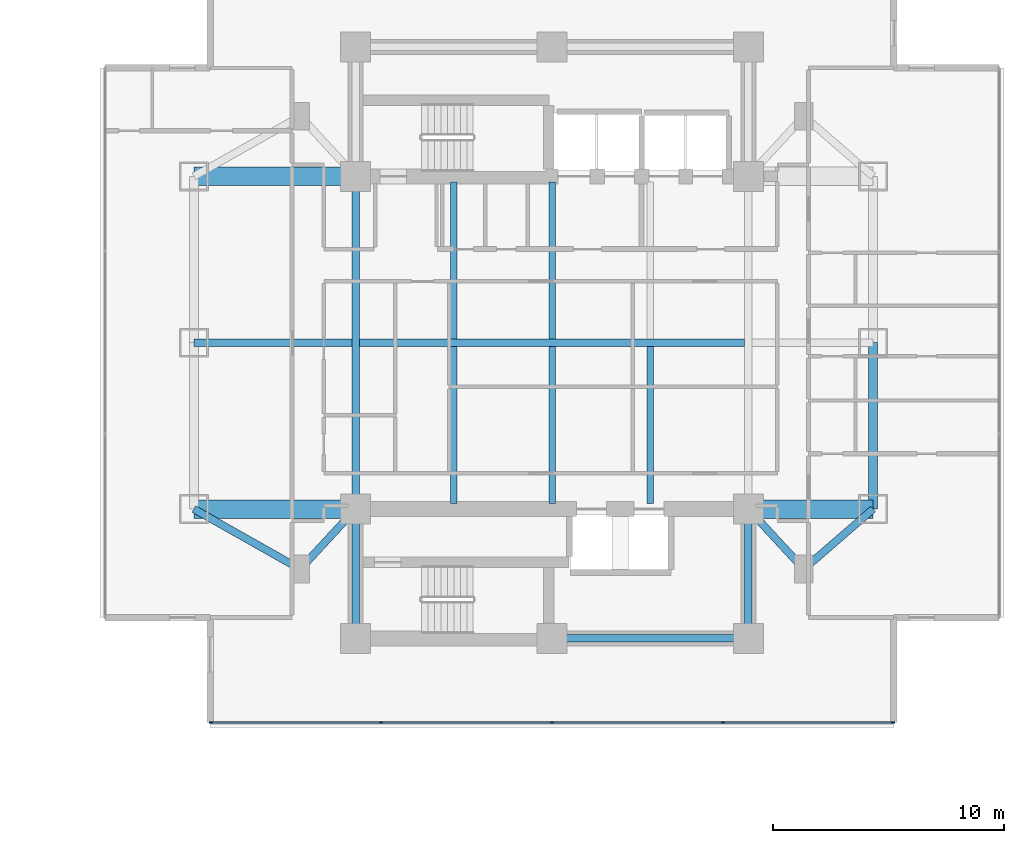
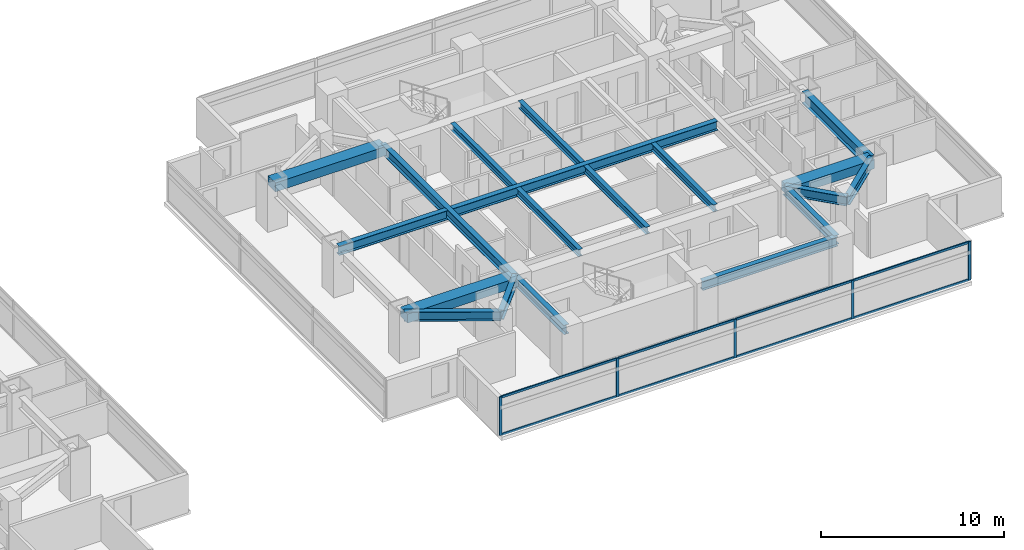
# One storey, part 9 of 26: 19 beams, 13 members, 1 element without a shape of its own.
"""IFC4 building model written with IfcOpenShell, lengths in metres."""

from ifc_helpers import new_model, si_unit, direction, frame, origin, origin_2d, place, context, subcontext, project, spatial, rectangle, i_section, extrude, material, material_profile, profile_set, type_object, element, aggregate, save


model = new_model("IFC4")

# Units and contexts
model_context = context("Model", 3, precision=1e-05, world=origin(), true_north=direction((0.0, 1.0)))
body_context = subcontext(model_context, "Body", "Model", "MODEL_VIEW")
ifc_project = project(units=[si_unit("LENGTHUNIT", "METRE"), si_unit("AREAUNIT", "SQUARE_METRE"), si_unit("VOLUMEUNIT", "CUBIC_METRE"), si_unit("PLANEANGLEUNIT", "RADIAN"), si_unit("MASSUNIT", "GRAM", prefix="KILO")], contexts=[model_context])

# Site, building, storey
site_placement = place(None, origin())
site = spatial("IfcSite", under=ifc_project, at=site_placement, CompositionType="ELEMENT")
building_placement = place(site_placement, origin())
building = spatial("IfcBuilding", under=site, at=building_placement, Name="Mirazonda Arch Towers", CompositionType="ELEMENT")
storey_placement = place(building_placement, frame((0.0, 0.0, 78.5)))
storey = spatial("IfcBuildingStorey", under=building, at=storey_placement, Name="L22", CompositionType="ELEMENT", Elevation=78.5)

# Beams
ifc_material_1 = material(Name="Steel ASTM A992 Grade 50", Category="steel")
ifc_material_profile_1 = material_profile(ifc_material_1, i_section(OverallWidth=0.381103515625, OverallDepth=0.77294921875, WebThickness=0.0166015625, FlangeThickness=0.027099609375, at=origin_2d()), Name="W30X173")
ifc_profile_set_1 = profile_set([ifc_material_profile_1], Name="Steel ASTM A992 Grade 50")
beam_type_1 = type_object("IfcBeamType", Name="BM-EXT-W30X173", PredefinedType="USERDEFINED", material=ifc_profile_set_1)
beam_1_placement = place(storey_placement, frame((90.39990234375, 20.800048828125, 2.553466796875), z_axis=(0.0, 1.0, 0.0), x_axis=(-1.0, 0.0, 0.0)))
element("IfcBeam", 1, at=beam_1_placement, inside=storey, type_object=beam_type_1, Name="L22 Floor Beam BMT-T2-L22-NS-E-20", ObjectType="GIRDER", PredefinedType="USERDEFINED", context=body_context, shape_type="SweptSolid", body=[
    extrude(i_section(OverallWidth=0.381103515625, OverallDepth=0.77294921875, WebThickness=0.0166015625, FlangeThickness=0.027099609375, at=origin_2d()), origin(), (0.0, 0.0, 1.0), 7.199951171875),
])
ifc_material_profile_2 = material_profile(ifc_material_1, i_section(OverallWidth=0.280029296875, OverallDepth=0.462890625, WebThickness=0.0107421875, FlangeThickness=0.017333984375, at=origin_2d()), Name="W18X76")
ifc_profile_set_2 = profile_set([ifc_material_profile_2], Name="Steel ASTM A992 Grade 50")
beam_type_2 = type_object("IfcBeamType", Name="BM-INT-W18X76", PredefinedType="JOIST", material=ifc_profile_set_2)
for number, where, z_axis, x_axis, name in (
    (2, (72.25, 21.0400390625, 2.70849609375), (0.0, 1.0, 0.0), (-1.0, 0.0, 0.0), "L22 Floor Beam BM-T2-L22-J-722-20"),
    (3, (72.25, 28.158447265625, 2.70849609375), (0.0, 1.0, 0.0), (-1.0, 0.0, 0.0), "L22 Floor Beam BM-T2-L22-J-722-28"),
    (4, (76.5, 21.0400390625, 2.70849609375), (0.0, 1.0, 0.0), (-1.0, 0.0, 0.0), "L22 Floor Beam BM-T2-L22-J-765-20"),
    (5, (76.5, 28.158447265625, 2.70849609375), (0.0, 1.0, 0.0), (-1.0, 0.0, 0.0), "L22 Floor Beam BM-T2-L22-J-765-28"),
    (6, (80.75, 21.0400390625, 2.70849609375), (0.0, 1.0, 0.0), (-1.0, 0.0, 0.0), "L22 Floor Beam BM-T2-L22-J-807-20"),
):
    element("IfcBeam", number, at=place(storey_placement, frame(where, z_axis=z_axis, x_axis=x_axis)), inside=storey, type_object=beam_type_2, Name=name, PredefinedType="JOIST", context=body_context, shape_type="SweptSolid", body=[
        extrude(i_section(OverallWidth=0.280029296875, OverallDepth=0.462890625, WebThickness=0.0107421875, FlangeThickness=0.017333984375, at=origin_2d()), origin(), (0.0, 0.0, 1.0), 6.801513671875),
    ])
ifc_material_profile_3 = material_profile(ifc_material_1, i_section(OverallWidth=0.324951171875, OverallDepth=0.615966796875, WebThickness=0.013916015625, FlangeThickness=0.021484375, at=origin_2d()), Name="W24X117")
ifc_profile_set_3 = profile_set([ifc_material_profile_3], Name="Steel ASTM A992 Grade 50")
beam_type_3 = type_object("IfcBeamType", Name="BM-INT-W24X117", PredefinedType="BEAM", material=ifc_profile_set_3)
beam_2_placement = place(storey_placement, frame((68.16259765625, 28.0, 2.632080078125), z_axis=(1.0, 0.0, 0.0), x_axis=(0.0, 1.0, 0.0)))
element("IfcBeam", 7, at=beam_2_placement, inside=storey, type_object=beam_type_3, Name="L22 Floor Beam BMT-T2-L22-GC2", PredefinedType="BEAM", context=body_context, shape_type="SweptSolid", body=[
    extrude(i_section(OverallWidth=0.324951171875, OverallDepth=0.615966796875, WebThickness=0.013916015625, FlangeThickness=0.021484375, at=origin_2d()), origin(), (0.0, 0.0, 1.0), 16.6748046875),
])
beam_3_placement = place(storey_placement, frame((76.5, 15.199951171875, 2.632080078125), z_axis=(1.0, 0.0, 0.0), x_axis=(0.0, 1.0, 0.0)))
element("IfcBeam", 8, at=beam_3_placement, inside=storey, type_object=beam_type_3, Name="L22 Floor Beam BMT-T2-L22-CS2", PredefinedType="BEAM", context=body_context, shape_type="SweptSolid", body=[
    extrude(i_section(OverallWidth=0.324951171875, OverallDepth=0.615966796875, WebThickness=0.013916015625, FlangeThickness=0.021484375, at=origin_2d()), origin(), (0.0, 0.0, 1.0), 8.5),
])
for number, where, z_axis, x_axis, name in (
    (9, (68.0, 15.199951171875, 2.632080078125), (0.0, 1.0, 0.0), (-1.0, 0.0, 0.0), "L22 Floor Beam BMT-T2-L22-CSW"),
    (10, (85.0, 15.199951171875, 2.632080078125), (0.0, 1.0, 0.0), (-1.0, 0.0, 0.0), "L22 Floor Beam BMT-T2-L22-CSE"),
):
    element("IfcBeam", number, at=place(storey_placement, frame(where, z_axis=z_axis, x_axis=x_axis)), inside=storey, type_object=beam_type_3, Name=name, PredefinedType="BEAM", context=body_context, shape_type="SweptSolid", body=[
        extrude(i_section(OverallWidth=0.324951171875, OverallDepth=0.615966796875, WebThickness=0.013916015625, FlangeThickness=0.021484375, at=origin_2d()), origin(), (0.0, 0.0, 1.0), 5.60009765625),
    ])
beam_4_placement = place(storey_placement, frame((61.0, 28.0, 2.632080078125), z_axis=(1.0, 0.0, 0.0), x_axis=(0.0, 1.0, 0.0)))
element("IfcBeam", 11, at=beam_4_placement, inside=storey, type_object=beam_type_3, Name="L22 Floor Beam BMT-T2-L22-GW2", PredefinedType="BEAM", context=body_context, shape_type="SweptSolid", body=[
    extrude(i_section(OverallWidth=0.324951171875, OverallDepth=0.615966796875, WebThickness=0.013916015625, FlangeThickness=0.021484375, at=origin_2d()), origin(), (0.0, 0.0, 1.0), 6.83740234375),
])
beam_5_placement = place(storey_placement, frame((68.0, 20.800048828125, 2.632080078125), z_axis=(0.0, 1.0, 0.0), x_axis=(-1.0, 0.0, 0.0)))
element("IfcBeam", 12, at=beam_5_placement, inside=storey, type_object=beam_type_3, Name="L22 Floor Beam BMT-T2-L22-NS-CW-FULL", PredefinedType="BEAM", context=body_context, shape_type="SweptSolid", body=[
    extrude(i_section(OverallWidth=0.324951171875, OverallDepth=0.615966796875, WebThickness=0.013916015625, FlangeThickness=0.021484375, at=origin_2d()), origin(), (0.0, 0.0, 1.0), 14.39990234375),
])
beam_6_placement = place(storey_placement, frame((65.60009765625, 18.199951171875, 2.632080078125), z_axis=(0.678251444854, 0.734829897019, 0.0), x_axis=(-0.734829897019, 0.678251444854, 0.0)))
element("IfcBeam", 13, at=beam_6_placement, inside=storey, type_object=beam_type_3, Name="L22 Floor Beam BMT-T2-L22-PL-SW1", PredefinedType="BEAM", context=body_context, shape_type="SweptSolid", body=[
    extrude(i_section(OverallWidth=0.324951171875, OverallDepth=0.615966796875, WebThickness=0.013916015625, FlangeThickness=0.021484375, at=origin_2d()), origin(), (0.0, 0.0, 1.0), 3.538330078125),
])
beam_7_placement = place(storey_placement, frame((65.60009765625, 18.199951171875, 2.632080078125), z_axis=(-0.870559396632, 0.492063346467, 0.0), x_axis=(-0.492063346467, -0.870559396632, 0.0)))
element("IfcBeam", 14, at=beam_7_placement, inside=storey, type_object=beam_type_3, Name="L22 Floor Beam BMT-T2-L22-PL-SW2", PredefinedType="BEAM", context=body_context, shape_type="SweptSolid", body=[
    extrude(i_section(OverallWidth=0.324951171875, OverallDepth=0.615966796875, WebThickness=0.013916015625, FlangeThickness=0.021484375, at=origin_2d()), origin(), (0.0, 0.0, 1.0), 5.2841796875),
])
beam_8_placement = place(storey_placement, frame((87.39990234375, 18.199951171875, 2.632080078125), z_axis=(-0.678251444854, 0.734829897019, 0.0), x_axis=(-0.734829897019, -0.678251444854, 0.0)))
element("IfcBeam", 15, at=beam_8_placement, inside=storey, type_object=beam_type_3, Name="L22 Floor Beam BMT-T2-L22-PL-SE1", PredefinedType="BEAM", context=body_context, shape_type="SweptSolid", body=[
    extrude(i_section(OverallWidth=0.324951171875, OverallDepth=0.615966796875, WebThickness=0.013916015625, FlangeThickness=0.021484375, at=origin_2d()), origin(), (0.0, 0.0, 1.0), 3.538330078125),
])
beam_9_placement = place(storey_placement, frame((87.39990234375, 18.199951171875, 2.632080078125), z_axis=(0.755676908098, 0.654944585876, 0.0), x_axis=(-0.654944585876, 0.755676908098, 0.0)))
element("IfcBeam", 16, at=beam_9_placement, inside=storey, type_object=beam_type_3, Name="L22 Floor Beam BMT-T2-L22-PL-SE2", PredefinedType="BEAM", context=body_context, shape_type="SweptSolid", body=[
    extrude(i_section(OverallWidth=0.324951171875, OverallDepth=0.615966796875, WebThickness=0.013916015625, FlangeThickness=0.021484375, at=origin_2d()), origin(), (0.0, 0.0, 1.0), 3.969970703125),
])
ifc_material_2 = material(Name="Concrete C60/75", Category="concrete")
ifc_material_profile_4 = material_profile(ifc_material_2, rectangle(XDim=0.800048828125, YDim=0.60009765625, at=origin_2d()), Name="RCCB800x600")
ifc_profile_set_4 = profile_set([ifc_material_profile_4], Name="Concrete C60/75")
beam_type_4 = type_object("IfcBeamType", Name="CB-INT-RCCB800x600", PredefinedType="SPANDREL", material=ifc_profile_set_4)
for number, where, z_axis, x_axis, name in (
    (17, (61.0, 35.199951171875, 2.639892578125), (1.0, 0.0, 0.0), (0.0, 1.0, 0.0), "L22 Floor Beam CBC-T2-L22-NW"),
    (18, (61.0, 20.800048828125, 2.639892578125), (1.0, 0.0, 0.0), (0.0, 1.0, 0.0), "L22 Floor Beam CBC-T2-L22-SW"),
):
    element("IfcBeam", number, at=place(storey_placement, frame(where, z_axis=z_axis, x_axis=x_axis)), inside=storey, type_object=beam_type_4, Name=name, PredefinedType="SPANDREL", context=body_context, shape_type="SweptSolid", body=[
        extrude(rectangle(XDim=0.800048828125, YDim=0.60009765625, at=origin_2d()), origin(), (0.0, 0.0, 1.0), 7.0),
    ])
beam_10_placement = place(storey_placement, frame((85.0, 20.800048828125, 2.639892578125), z_axis=(1.0, 0.0, 0.0), x_axis=(0.0, 1.0, 0.0)))
element("IfcBeam", 19, at=beam_10_placement, inside=storey, type_object=beam_type_4, Name="L22 Floor Beam CBC-T2-L22-SE", PredefinedType="SPANDREL", context=body_context, shape_type="SweptSolid", body=[
    extrude(rectangle(XDim=0.800048828125, YDim=0.60009765625, at=origin_2d()), origin(), (0.0, 0.0, 1.0), 5.39990234375),
])

# Curtain wall, members
ifc_material_3 = material(Name="Anodised Aluminium and Low-E Glass", Category="aluminium")
curtain_wall_type = type_object("IfcCurtainWallType", Name="CW-HTL-UNIT", PredefinedType="NOTDEFINED", material=ifc_material_3)
curtain_wall_placement = place(storey_placement, origin())
curtain_wall = element("IfcCurtainWall", 20, at=curtain_wall_placement, inside=storey, type_object=curtain_wall_type, Name="L22 T2 S Facade CW-L22-T2-S", PredefinedType="NOTDEFINED")
ifc_material_4 = material(Name="Anodised Aluminium Alloy", Category="aluminium")
ifc_material_profile_5 = material_profile(ifc_material_4, rectangle(XDim=0.074951171875, YDim=0.1650390625, at=origin_2d()), Name="ALU-MULL-75x165")
ifc_profile_set_5 = profile_set([ifc_material_profile_5], Name="Anodised Aluminium Alloy")
member_type_1 = type_object("IfcMemberType", Name="MULL-CW-HTL-UNIT", PredefinedType="MULLION", material=ifc_profile_set_5)
member_1_placement = place(storey_placement, frame((91.260498046875, 11.5576171875, 0.0), z_axis=(0.0, 0.0, 1.0), x_axis=(0.0, -1.0, 0.0)))
member_1 = element("IfcMember", 21, at=member_1_placement, type_object=member_type_1, Name="CW-112 mullion 1", PredefinedType="MULLION", context=body_context, shape_type="SweptSolid", body=[
    extrude(rectangle(XDim=0.074951171875, YDim=0.1650390625, at=origin_2d()), origin(), (0.0, 0.0, 1.0), 2.56005859375),
])
member_2_placement = place(storey_placement, frame((83.89892578125, 11.5576171875, 0.0), z_axis=(0.0, 0.0, 1.0), x_axis=(0.0, -1.0, 0.0)))
member_2 = element("IfcMember", 22, at=member_2_placement, type_object=member_type_1, Name="CW-112 mullion 2", PredefinedType="MULLION", context=body_context, shape_type="SweptSolid", body=[
    extrude(rectangle(XDim=0.074951171875, YDim=0.1650390625, at=origin_2d()), origin(), (0.0, 0.0, 1.0), 2.56005859375),
])
member_3_placement = place(storey_placement, frame((76.5, 11.5576171875, 0.0), z_axis=(0.0, 0.0, 1.0), x_axis=(0.0, -1.0, 0.0)))
member_3 = element("IfcMember", 23, at=member_3_placement, type_object=member_type_1, Name="CW-112 mullion 3", PredefinedType="MULLION", context=body_context, shape_type="SweptSolid", body=[
    extrude(rectangle(XDim=0.074951171875, YDim=0.1650390625, at=origin_2d()), origin(), (0.0, 0.0, 1.0), 2.56005859375),
])
member_4_placement = place(storey_placement, frame((69.10107421875, 11.5576171875, 0.0), z_axis=(0.0, 0.0, 1.0), x_axis=(0.0, -1.0, 0.0)))
member_4 = element("IfcMember", 24, at=member_4_placement, type_object=member_type_1, Name="CW-112 mullion 4", PredefinedType="MULLION", context=body_context, shape_type="SweptSolid", body=[
    extrude(rectangle(XDim=0.074951171875, YDim=0.1650390625, at=origin_2d()), origin(), (0.0, 0.0, 1.0), 2.56005859375),
])
member_5_placement = place(storey_placement, frame((61.739501953125, 11.5576171875, 0.0), z_axis=(0.0, 0.0, 1.0), x_axis=(0.0, -1.0, 0.0)))
member_5 = element("IfcMember", 25, at=member_5_placement, type_object=member_type_1, Name="CW-112 mullion 5", PredefinedType="MULLION", context=body_context, shape_type="SweptSolid", body=[
    extrude(rectangle(XDim=0.074951171875, YDim=0.1650390625, at=origin_2d()), origin(), (0.0, 0.0, 1.0), 2.56005859375),
])
ifc_material_profile_6 = material_profile(ifc_material_4, rectangle(XDim=0.074951171875, YDim=0.14501953125, at=origin_2d()), Name="ALU-TRAN-75x145")
ifc_profile_set_6 = profile_set([ifc_material_profile_6], Name="Anodised Aluminium Alloy")
member_type_2 = type_object("IfcMemberType", Name="TRAN-CW-HTL-UNIT", PredefinedType="USERDEFINED", material=ifc_profile_set_6)
member_6_placement = place(storey_placement, frame((91.222900390625, 11.5576171875, 0.03759765625), z_axis=(-1.0, 0.0, 0.0), x_axis=(0.0, -1.0, 0.0)))
member_6 = element("IfcMember", 26, at=member_6_placement, type_object=member_type_2, Name="CW-112 transom 1.1", ObjectType="TRANSOM", PredefinedType="USERDEFINED", context=body_context, shape_type="SweptSolid", body=[
    extrude(rectangle(XDim=0.074951171875, YDim=0.14501953125, at=origin_2d()), origin(), (0.0, 0.0, 1.0), 7.286376953125),
])
member_7_placement = place(storey_placement, frame((91.222900390625, 11.5576171875, 2.5224609375), z_axis=(-1.0, 0.0, 0.0), x_axis=(0.0, -1.0, 0.0)))
member_7 = element("IfcMember", 27, at=member_7_placement, type_object=member_type_2, Name="CW-112 transom 1.2", ObjectType="TRANSOM", PredefinedType="USERDEFINED", context=body_context, shape_type="SweptSolid", body=[
    extrude(rectangle(XDim=0.074951171875, YDim=0.14501953125, at=origin_2d()), origin(), (0.0, 0.0, 1.0), 7.286376953125),
])
member_8_placement = place(storey_placement, frame((83.861572265625, 11.5576171875, 0.03759765625), z_axis=(-1.0, 0.0, 0.0), x_axis=(0.0, -1.0, 0.0)))
member_8 = element("IfcMember", 28, at=member_8_placement, type_object=member_type_2, Name="CW-112 transom 2.1", ObjectType="TRANSOM", PredefinedType="USERDEFINED", context=body_context, shape_type="SweptSolid", body=[
    extrude(rectangle(XDim=0.074951171875, YDim=0.14501953125, at=origin_2d()), origin(), (0.0, 0.0, 1.0), 7.323974609375),
])
member_9_placement = place(storey_placement, frame((83.861572265625, 11.5576171875, 2.5224609375), z_axis=(-1.0, 0.0, 0.0), x_axis=(0.0, -1.0, 0.0)))
member_9 = element("IfcMember", 29, at=member_9_placement, type_object=member_type_2, Name="CW-112 transom 2.2", ObjectType="TRANSOM", PredefinedType="USERDEFINED", context=body_context, shape_type="SweptSolid", body=[
    extrude(rectangle(XDim=0.074951171875, YDim=0.14501953125, at=origin_2d()), origin(), (0.0, 0.0, 1.0), 7.323974609375),
])
member_10_placement = place(storey_placement, frame((76.46240234375, 11.5576171875, 0.03759765625), z_axis=(-1.0, 0.0, 0.0), x_axis=(0.0, -1.0, 0.0)))
member_10 = element("IfcMember", 30, at=member_10_placement, type_object=member_type_2, Name="CW-112 transom 3.1", ObjectType="TRANSOM", PredefinedType="USERDEFINED", context=body_context, shape_type="SweptSolid", body=[
    extrude(rectangle(XDim=0.074951171875, YDim=0.14501953125, at=origin_2d()), origin(), (0.0, 0.0, 1.0), 7.323974609375),
])
member_11_placement = place(storey_placement, frame((76.46240234375, 11.5576171875, 2.5224609375), z_axis=(-1.0, 0.0, 0.0), x_axis=(0.0, -1.0, 0.0)))
member_11 = element("IfcMember", 31, at=member_11_placement, type_object=member_type_2, Name="CW-112 transom 3.2", ObjectType="TRANSOM", PredefinedType="USERDEFINED", context=body_context, shape_type="SweptSolid", body=[
    extrude(rectangle(XDim=0.074951171875, YDim=0.14501953125, at=origin_2d()), origin(), (0.0, 0.0, 1.0), 7.323974609375),
])
member_12_placement = place(storey_placement, frame((69.0634765625, 11.5576171875, 0.03759765625), z_axis=(-1.0, 0.0, 0.0), x_axis=(0.0, -1.0, 0.0)))
member_12 = element("IfcMember", 32, at=member_12_placement, type_object=member_type_2, Name="CW-112 transom 4.1", ObjectType="TRANSOM", PredefinedType="USERDEFINED", context=body_context, shape_type="SweptSolid", body=[
    extrude(rectangle(XDim=0.074951171875, YDim=0.14501953125, at=origin_2d()), origin(), (0.0, 0.0, 1.0), 7.286376953125),
])
member_13_placement = place(storey_placement, frame((69.0634765625, 11.5576171875, 2.5224609375), z_axis=(-1.0, 0.0, 0.0), x_axis=(0.0, -1.0, 0.0)))
member_13 = element("IfcMember", 33, at=member_13_placement, type_object=member_type_2, Name="CW-112 transom 4.2", ObjectType="TRANSOM", PredefinedType="USERDEFINED", context=body_context, shape_type="SweptSolid", body=[
    extrude(rectangle(XDim=0.074951171875, YDim=0.14501953125, at=origin_2d()), origin(), (0.0, 0.0, 1.0), 7.286376953125),
])
aggregate(curtain_wall, [member_1, member_2, member_3, member_4, member_5, member_6, member_7, member_8, member_9, member_10, member_11, member_12, member_13])

save(model, "model.ifc")
